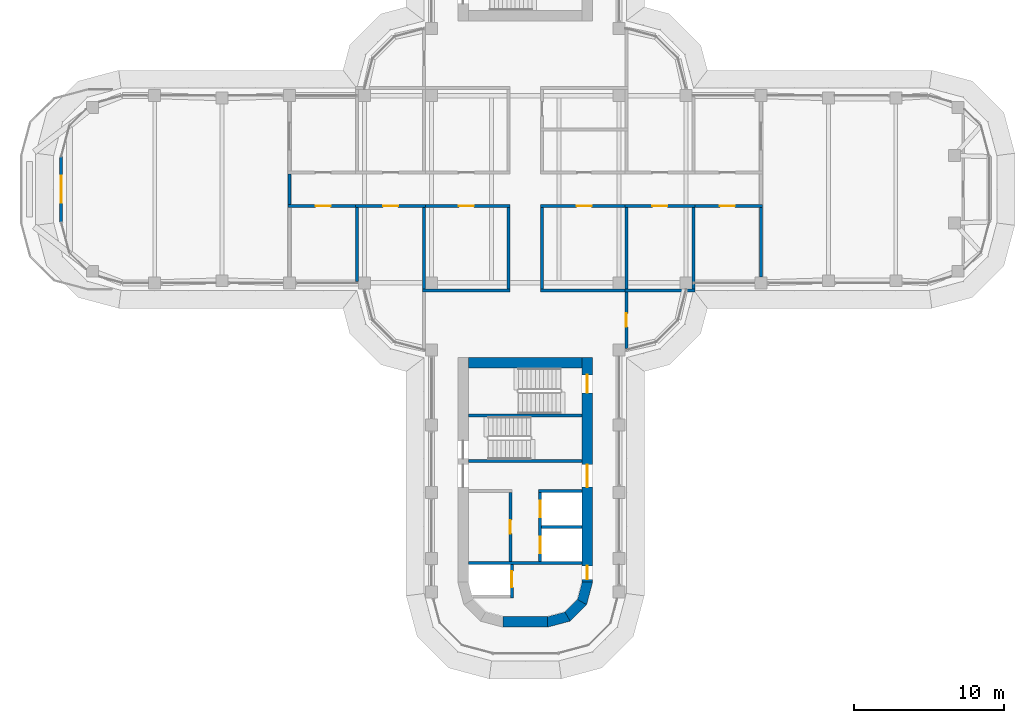
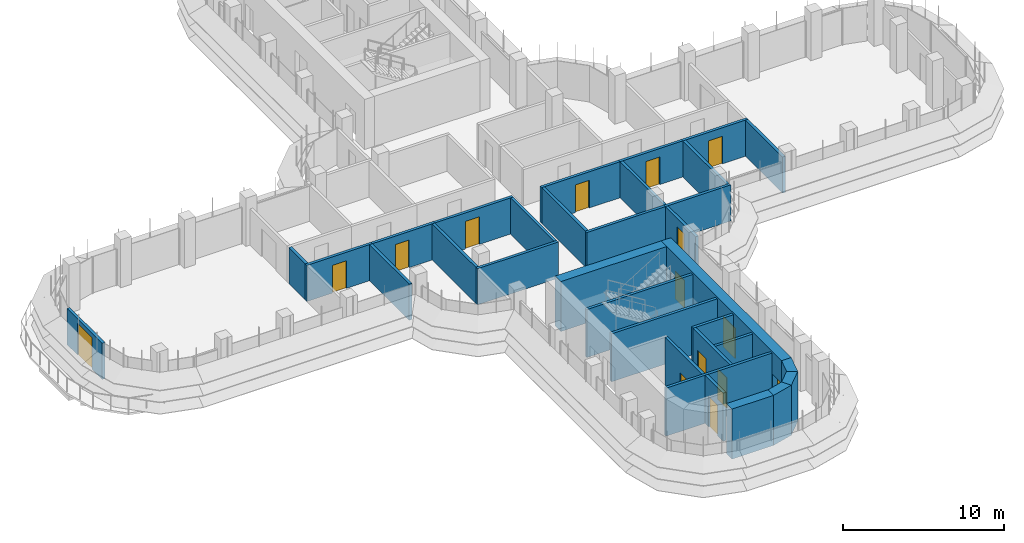
# One storey, part 14 of 20: 33 walls, 15 doors, 15 openings.
"""IFC4 building model written with IfcOpenShell, lengths in metres."""

from ifc_helpers import new_model, si_unit, direction, frame, frame_2d, origin, place, context, subcontext, project, spatial, polyline, rectangle, outline, extrude, material, layer, layer_set, type_object, element, fill, save


model = new_model("IFC4")

# Units and contexts
model_context = context("Model", 3, precision=1e-05, world=origin(), true_north=direction((0.0, 1.0)))
body_context = subcontext(model_context, "Body", "Model", "MODEL_VIEW")
ifc_project = project(units=[si_unit("LENGTHUNIT", "METRE"), si_unit("AREAUNIT", "SQUARE_METRE"), si_unit("VOLUMEUNIT", "CUBIC_METRE"), si_unit("PLANEANGLEUNIT", "RADIAN"), si_unit("MASSUNIT", "GRAM", prefix="KILO")], contexts=[model_context])

# Site, building, storey
site_placement = place(None, origin())
site = spatial("IfcSite", under=ifc_project, at=site_placement, CompositionType="ELEMENT")
building_placement = place(site_placement, origin())
building = spatial("IfcBuilding", under=site, at=building_placement, Name="Zarbagh Exchange Tower", CompositionType="ELEMENT")
storey_placement = place(building_placement, frame((0.0, 0.0, 186.60009765625)))
storey = spatial("IfcBuildingStorey", under=building, at=storey_placement, Name="L45", CompositionType="ELEMENT", Elevation=186.60009765625)

# Wall, opening, door
ifc_material_1 = material(Name="Fire-rated plasterboard partition")
ifc_layer_1 = layer(ifc_material_1, 0.199951171875)
ifc_layer_set_1 = layer_set([ifc_layer_1], Name="RATED PARTITION 200")
wall_type_1 = type_object("IfcWallType", Name="RATED PARTITION 200", PredefinedType="PARTITIONING", material=ifc_layer_set_1)
wall_1_placement = place(storey_placement, frame((6.85009765625, -1.125, 0.0), z_axis=(0.0, 0.0, 1.0), x_axis=(-1.0, 0.0, 0.0)))
wall_1 = element("IfcWall", 1, at=wall_1_placement, inside=storey, type_object=wall_type_1, Name="Partition W-2005", PredefinedType="PARTITIONING", context=body_context, shape_type="SweptSolid", body=[
    extrude(rectangle(XDim=5.8251953125, YDim=0.199951171875, at=frame_2d((2.91259765625, 0.0))), origin(), (0.0, 0.0, 1.0), 2.74560546875),
])
opening_1_placement = place(wall_1_placement, frame((2.41259765625, 0.0, 0.0)))
opening_1 = element("IfcOpeningElement", 2, at=opening_1_placement, cuts=wall_1, Name="Opening D-2011", PredefinedType="OPENING", context=body_context, shape_type="SweptSolid", body=[
    extrude(rectangle(XDim=1.0, YDim=2.10009765625, at=frame_2d((0.5, 1.050048828125))), frame((0.0, 0.10986328125, 0.0), z_axis=(0.0, -1.0, 0.0), x_axis=(1.0, 0.0, 0.0)), (0.0, 0.0, 1.0), 0.219970703125),
])
ifc_material_2 = material(Name="Steel door set", Category="steel")
door_type_1 = type_object("IfcDoorType", Name="FIRE DOOR 1000 X 2100 FD30S", OperationType="NOTDEFINED", PredefinedType="DOOR", material=ifc_material_2)
door_1_placement = place(opening_1_placement, origin())
door_1 = element("IfcDoor", 3, at=door_1_placement, inside=storey, type_object=door_type_1, Name="Door D-2011", OperationType="SINGLE_SWING_RIGHT", OverallHeight=2.10009765625, OverallWidth=1.0, PredefinedType="DOOR", context=body_context, shape_type="SweptSolid", body=[
    extrude(rectangle(XDim=1.0, YDim=2.10009765625, at=frame_2d((0.5, 1.050048828125))), frame((0.0, 0.02490234375, 0.0), z_axis=(0.0, -1.0, 0.0), x_axis=(1.0, 0.0, 0.0)), (0.0, 0.0, 1.0), 0.050048828125),
])
fill(opening_1, door_1)

wall_2_placement = place(storey_placement, frame((11.35009765625, -1.125, 0.0), z_axis=(0.0, 0.0, 1.0), x_axis=(-1.0, 0.0, 0.0)))
wall_2 = element("IfcWall", 4, at=wall_2_placement, inside=storey, type_object=wall_type_1, Name="Partition W-2006", PredefinedType="PARTITIONING", context=body_context, shape_type="SweptSolid", body=[
    extrude(rectangle(XDim=4.7001953125, YDim=0.199951171875, at=frame_2d((2.35009765625, 0.0))), origin(), (0.0, 0.0, 1.0), 2.74560546875),
])
opening_2_placement = place(wall_2_placement, frame((1.85009765625, 0.0, 0.0)))
opening_2 = element("IfcOpeningElement", 5, at=opening_2_placement, cuts=wall_2, Name="Opening D-2012", PredefinedType="OPENING", context=body_context, shape_type="SweptSolid", body=[
    extrude(rectangle(XDim=1.0, YDim=2.10009765625, at=frame_2d((0.5, 1.050048828125))), frame((0.0, 0.10986328125, 0.0), z_axis=(0.0, -1.0, 0.0), x_axis=(1.0, 0.0, 0.0)), (0.0, 0.0, 1.0), 0.219970703125),
])
door_2_placement = place(opening_2_placement, origin())
door_2 = element("IfcDoor", 6, at=door_2_placement, inside=storey, type_object=door_type_1, Name="Door D-2012", OperationType="SINGLE_SWING_RIGHT", OverallHeight=2.10009765625, OverallWidth=1.0, PredefinedType="DOOR", context=body_context, shape_type="SweptSolid", body=[
    extrude(rectangle(XDim=1.0, YDim=2.10009765625, at=frame_2d((0.5, 1.050048828125))), frame((0.0, 0.02490234375, 0.0), z_axis=(0.0, -1.0, 0.0), x_axis=(1.0, 0.0, 0.0)), (0.0, 0.0, 1.0), 0.050048828125),
])
fill(opening_2, door_2)

wall_3_placement = place(storey_placement, frame((-1.02490234375, -1.125, 0.0), z_axis=(0.0, 0.0, 1.0), x_axis=(-1.0, 0.0, 0.0)))
wall_3 = element("IfcWall", 7, at=wall_3_placement, inside=storey, type_object=wall_type_1, Name="Partition W-2007", PredefinedType="PARTITIONING", context=body_context, shape_type="SweptSolid", body=[
    extrude(rectangle(XDim=5.8251953125, YDim=0.199951171875, at=frame_2d((2.91259765625, 0.0))), origin(), (0.0, 0.0, 1.0), 2.74560546875),
])
opening_3_placement = place(wall_3_placement, frame((2.41259765625, 0.0, 0.0)))
opening_3 = element("IfcOpeningElement", 8, at=opening_3_placement, cuts=wall_3, Name="Opening D-2014", PredefinedType="OPENING", context=body_context, shape_type="SweptSolid", body=[
    extrude(rectangle(XDim=1.0, YDim=2.10009765625, at=frame_2d((0.5, 1.050048828125))), frame((0.0, 0.10986328125, 0.0), z_axis=(0.0, -1.0, 0.0), x_axis=(1.0, 0.0, 0.0)), (0.0, 0.0, 1.0), 0.219970703125),
])
door_3_placement = place(opening_3_placement, origin())
door_3 = element("IfcDoor", 9, at=door_3_placement, inside=storey, type_object=door_type_1, Name="Door D-2014", OperationType="SINGLE_SWING_RIGHT", OverallHeight=2.10009765625, OverallWidth=1.0, PredefinedType="DOOR", context=body_context, shape_type="SweptSolid", body=[
    extrude(rectangle(XDim=1.0, YDim=2.10009765625, at=frame_2d((0.5, 1.050048828125))), frame((0.0, 0.02490234375, 0.0), z_axis=(0.0, -1.0, 0.0), x_axis=(1.0, 0.0, 0.0)), (0.0, 0.0, 1.0), 0.050048828125),
])
fill(opening_3, door_3)

wall_4_placement = place(storey_placement, frame((-6.64990234375, -1.125, 0.0), z_axis=(0.0, 0.0, 1.0), x_axis=(-1.0, 0.0, 0.0)))
wall_4 = element("IfcWall", 10, at=wall_4_placement, inside=storey, type_object=wall_type_1, Name="Partition W-2008", PredefinedType="PARTITIONING", context=body_context, shape_type="SweptSolid", body=[
    extrude(rectangle(XDim=4.7001953125, YDim=0.199951171875, at=frame_2d((2.35009765625, 0.0))), origin(), (0.0, 0.0, 1.0), 2.74560546875),
])
opening_4_placement = place(wall_4_placement, frame((1.85009765625, 0.0, 0.0)))
opening_4 = element("IfcOpeningElement", 11, at=opening_4_placement, cuts=wall_4, Name="Opening D-2015", PredefinedType="OPENING", context=body_context, shape_type="SweptSolid", body=[
    extrude(rectangle(XDim=1.0, YDim=2.10009765625, at=frame_2d((0.5, 1.050048828125))), frame((0.0, 0.10986328125, 0.0), z_axis=(0.0, -1.0, 0.0), x_axis=(1.0, 0.0, 0.0)), (0.0, 0.0, 1.0), 0.219970703125),
])
door_4_placement = place(opening_4_placement, origin())
door_4 = element("IfcDoor", 12, at=door_4_placement, inside=storey, type_object=door_type_1, Name="Door D-2015", OperationType="SINGLE_SWING_RIGHT", OverallHeight=2.10009765625, OverallWidth=1.0, PredefinedType="DOOR", context=body_context, shape_type="SweptSolid", body=[
    extrude(rectangle(XDim=1.0, YDim=2.10009765625, at=frame_2d((0.5, 1.050048828125))), frame((0.0, 0.02490234375, 0.0), z_axis=(0.0, -1.0, 0.0), x_axis=(1.0, 0.0, 0.0)), (0.0, 0.0, 1.0), 0.050048828125),
])
fill(opening_4, door_4)

wall_5_placement = place(storey_placement, frame((15.85009765625, -1.125, 0.0), z_axis=(0.0, 0.0, 1.0), x_axis=(-1.0, 0.0, 0.0)))
wall_5 = element("IfcWall", 13, at=wall_5_placement, inside=storey, type_object=wall_type_1, Name="Partition W-2010", PredefinedType="PARTITIONING", context=body_context, shape_type="SweptSolid", body=[
    extrude(rectangle(XDim=4.7001953125, YDim=0.199951171875, at=frame_2d((2.35009765625, 0.0))), origin(), (0.0, 0.0, 1.0), 2.74560546875),
])
opening_5_placement = place(wall_5_placement, frame((1.85009765625, 0.0, 0.0)))
opening_5 = element("IfcOpeningElement", 14, at=opening_5_placement, cuts=wall_5, Name="Opening D-2004", PredefinedType="OPENING", context=body_context, shape_type="SweptSolid", body=[
    extrude(rectangle(XDim=1.0, YDim=2.10009765625, at=frame_2d((0.5, 1.050048828125))), frame((0.0, 0.10986328125, 0.0), z_axis=(0.0, -1.0, 0.0), x_axis=(1.0, 0.0, 0.0)), (0.0, 0.0, 1.0), 0.219970703125),
])
door_5_placement = place(opening_5_placement, origin())
door_5 = element("IfcDoor", 15, at=door_5_placement, inside=storey, type_object=door_type_1, Name="Door D-2004", OperationType="SINGLE_SWING_RIGHT", OverallHeight=2.10009765625, OverallWidth=1.0, PredefinedType="DOOR", context=body_context, shape_type="SweptSolid", body=[
    extrude(rectangle(XDim=1.0, YDim=2.10009765625, at=frame_2d((0.5, 1.050048828125))), frame((0.0, 0.02490234375, 0.0), z_axis=(0.0, -1.0, 0.0), x_axis=(1.0, 0.0, 0.0)), (0.0, 0.0, 1.0), 0.050048828125),
])
fill(opening_5, door_5)

wall_6_placement = place(storey_placement, frame((-11.14990234375, -1.125, 0.0), z_axis=(0.0, 0.0, 1.0), x_axis=(-1.0, 0.0, 0.0)))
wall_6 = element("IfcWall", 16, at=wall_6_placement, inside=storey, type_object=wall_type_1, Name="Partition W-2013", PredefinedType="PARTITIONING", context=body_context, shape_type="SweptSolid", body=[
    extrude(rectangle(XDim=4.7001953125, YDim=0.199951171875, at=frame_2d((2.35009765625, 0.0))), origin(), (0.0, 0.0, 1.0), 2.74560546875),
])
opening_6_placement = place(wall_6_placement, frame((1.85009765625, 0.0, 0.0)))
opening_6 = element("IfcOpeningElement", 17, at=opening_6_placement, cuts=wall_6, Name="Opening D-2018", PredefinedType="OPENING", context=body_context, shape_type="SweptSolid", body=[
    extrude(rectangle(XDim=1.0, YDim=2.10009765625, at=frame_2d((0.5, 1.050048828125))), frame((0.0, 0.10986328125, 0.0), z_axis=(0.0, -1.0, 0.0), x_axis=(1.0, 0.0, 0.0)), (0.0, 0.0, 1.0), 0.219970703125),
])
door_6_placement = place(opening_6_placement, origin())
door_6 = element("IfcDoor", 18, at=door_6_placement, inside=storey, type_object=door_type_1, Name="Door D-2018", OperationType="SINGLE_SWING_RIGHT", OverallHeight=2.10009765625, OverallWidth=1.0, PredefinedType="DOOR", context=body_context, shape_type="SweptSolid", body=[
    extrude(rectangle(XDim=1.0, YDim=2.10009765625, at=frame_2d((0.5, 1.050048828125))), frame((0.0, 0.02490234375, 0.0), z_axis=(0.0, -1.0, 0.0), x_axis=(1.0, 0.0, 0.0)), (0.0, 0.0, 1.0), 0.050048828125),
])
fill(opening_6, door_6)

# Walls
wall_7_placement = place(storey_placement, frame((-15.75, -1.02490234375, 0.0), z_axis=(0.0, 0.0, 1.0), x_axis=(0.0, 1.0, 0.0)))
element("IfcWall", 19, at=wall_7_placement, inside=storey, type_object=wall_type_1, Name="Partition W-2014", PredefinedType="PARTITIONING", context=body_context, shape_type="SweptSolid", body=[
    extrude(rectangle(XDim=2.0498046875, YDim=0.199951171875, at=frame_2d((1.02490234375, 0.0))), origin(), (0.0, 0.0, 1.0), 2.74560546875),
])
for number, where, z_axis, x_axis, name in (
    (20, (1.125, -6.64990234375, 0.0), (0.0, 0.0, 1.0), (0.0, 1.0, 0.0), "Partition W-2018"),
    (21, (-1.125, -6.64990234375, 0.0), (0.0, 0.0, 1.0), (0.0, 1.0, 0.0), "Partition W-2019"),
):
    element("IfcWall", number, at=place(storey_placement, frame(where, z_axis=z_axis, x_axis=x_axis)), inside=storey, type_object=wall_type_1, Name=name, PredefinedType="PARTITIONING", context=body_context, shape_type="SweptSolid", body=[
        extrude(rectangle(XDim=5.4248046875, YDim=0.199951171875, at=frame_2d((2.71240234375, 0.0))), origin(), (0.0, 0.0, 1.0), 2.74560546875),
    ])
wall_8_placement = place(storey_placement, frame((1.02490234375, -6.75, 0.0), z_axis=(0.0, 0.0, 1.0), x_axis=(1.0, 0.0, 0.0)))
element("IfcWall", 22, at=wall_8_placement, inside=storey, type_object=wall_type_1, Name="Partition W-2024", PredefinedType="PARTITIONING", context=body_context, shape_type="SweptSolid", body=[
    extrude(rectangle(XDim=5.8251953125, YDim=0.199951171875, at=frame_2d((2.91259765625, 0.0))), origin(), (0.0, 0.0, 1.0), 2.74560546875),
])

# Wall, opening, door
wall_9_placement = place(storey_placement, frame((6.75, -6.85009765625, 0.0), z_axis=(0.0, 0.0, 1.0), x_axis=(0.0, -1.0, 0.0)))
wall_9 = element("IfcWall", 23, at=wall_9_placement, inside=storey, type_object=wall_type_1, Name="Partition W-2025", PredefinedType="PARTITIONING", context=body_context, shape_type="SweptSolid", body=[
    extrude(rectangle(XDim=3.77978515625, YDim=0.199951171875, at=frame_2d((1.889892578125, 0.0))), origin(), (0.0, 0.0, 1.0), 2.74560546875),
])
opening_7_placement = place(wall_9_placement, frame((1.43994140625, 0.0, 0.0)))
opening_7 = element("IfcOpeningElement", 24, at=opening_7_placement, cuts=wall_9, Name="Opening D-2013", PredefinedType="OPENING", context=body_context, shape_type="SweptSolid", body=[
    extrude(rectangle(XDim=0.89990234375, YDim=2.10009765625, at=frame_2d((0.449951171875, 1.050048828125))), frame((0.0, 0.10986328125, 0.0), z_axis=(0.0, -1.0, 0.0), x_axis=(1.0, 0.0, 0.0)), (0.0, 0.0, 1.0), 0.219970703125),
])
ifc_material_3 = material(Name="Timber door leaf", Category="wood")
door_type_2 = type_object("IfcDoorType", Name="DOOR 900 X 2100", OperationType="NOTDEFINED", PredefinedType="DOOR", material=ifc_material_3)
door_7_placement = place(opening_7_placement, origin())
door_7 = element("IfcDoor", 25, at=door_7_placement, inside=storey, type_object=door_type_2, Name="Door D-2013", OperationType="SINGLE_SWING_LEFT", OverallHeight=2.10009765625, OverallWidth=0.89990234375, PredefinedType="DOOR", context=body_context, shape_type="SweptSolid", body=[
    extrude(rectangle(XDim=0.89990234375, YDim=2.10009765625, at=frame_2d((0.449951171875, 1.050048828125))), frame((0.0, 0.02490234375, 0.0), z_axis=(0.0, -1.0, 0.0), x_axis=(1.0, 0.0, 0.0)), (0.0, 0.0, 1.0), 0.050048828125),
])
fill(opening_7, door_7)

# Walls
wall_10_placement = place(storey_placement, frame((-6.85009765625, -6.75, 0.0), z_axis=(0.0, 0.0, 1.0), x_axis=(1.0, 0.0, 0.0)))
element("IfcWall", 26, at=wall_10_placement, inside=storey, type_object=wall_type_1, Name="Partition W-2026", PredefinedType="PARTITIONING", context=body_context, shape_type="SweptSolid", body=[
    extrude(rectangle(XDim=5.8251953125, YDim=0.199951171875, at=frame_2d((2.91259765625, 0.0))), origin(), (0.0, 0.0, 1.0), 2.74560546875),
])
wall_11_placement = place(storey_placement, frame((6.75, -6.64990234375, 0.0), z_axis=(0.0, 0.0, 1.0), x_axis=(0.0, 1.0, 0.0)))
element("IfcWall", 27, at=wall_11_placement, inside=storey, type_object=wall_type_1, Name="Partition W-2035", PredefinedType="PARTITIONING", context=body_context, shape_type="SweptSolid", body=[
    extrude(rectangle(XDim=5.4248046875, YDim=0.199951171875, at=frame_2d((2.71240234375, 0.0))), origin(), (0.0, 0.0, 1.0), 2.74560546875),
])
wall_12_placement = place(storey_placement, frame((6.64990234375, -6.75, 0.0), z_axis=(0.0, 0.0, 1.0), x_axis=(1.0, 0.0, 0.0)))
element("IfcWall", 28, at=wall_12_placement, inside=storey, type_object=wall_type_1, Name="Partition W-2036", PredefinedType="PARTITIONING", context=body_context, shape_type="SweptSolid", body=[
    extrude(rectangle(XDim=4.7001953125, YDim=0.199951171875, at=frame_2d((2.35009765625, 0.0))), origin(), (0.0, 0.0, 1.0), 2.74560546875),
])
for number, where, z_axis, x_axis, name in (
    (29, (11.25, -6.64990234375, 0.0), (0.0, 0.0, 1.0), (0.0, 1.0, 0.0), "Partition W-2037"),
    (30, (-6.75, -6.64990234375, 0.0), (0.0, 0.0, 1.0), (0.0, 1.0, 0.0), "Partition W-2038"),
):
    element("IfcWall", number, at=place(storey_placement, frame(where, z_axis=z_axis, x_axis=x_axis)), inside=storey, type_object=wall_type_1, Name=name, PredefinedType="PARTITIONING", context=body_context, shape_type="SweptSolid", body=[
        extrude(rectangle(XDim=5.4248046875, YDim=0.199951171875, at=frame_2d((2.71240234375, 0.0))), origin(), (0.0, 0.0, 1.0), 2.74560546875),
    ])
wall_13_placement = place(storey_placement, frame((-11.25, -6.169921875, 0.0), z_axis=(0.0, 0.0, 1.0), x_axis=(0.0, 1.0, 0.0)))
element("IfcWall", 31, at=wall_13_placement, inside=storey, type_object=wall_type_1, Name="Partition W-2039", PredefinedType="PARTITIONING", context=body_context, shape_type="SweptSolid", body=[
    extrude(rectangle(XDim=4.94482421875, YDim=0.199951171875, at=frame_2d((2.472412109375, 0.0))), origin(), (0.0, 0.0, 1.0), 2.74560546875),
])
wall_14_placement = place(storey_placement, frame((15.75, -5.85009765625, 0.0), z_axis=(0.0, 0.0, 1.0), x_axis=(0.0, 1.0, 0.0)))
element("IfcWall", 32, at=wall_14_placement, inside=storey, type_object=wall_type_1, Name="Partition W-2041", PredefinedType="PARTITIONING", context=body_context, shape_type="SweptSolid", body=[
    extrude(rectangle(XDim=4.625, YDim=0.199951171875, at=frame_2d((2.3125, 0.0))), origin(), (0.0, 0.0, 1.0), 2.74560546875),
])
ifc_material_4 = material(Name="Concrete C50/60", Category="concrete")
ifc_layer_2 = layer(ifc_material_4, 0.699951171875)
ifc_layer_set_2 = layer_set([ifc_layer_2], Name="RC core corner wall 700 C50/60")
wall_type_2 = type_object("IfcWallType", Name="RC core corner wall 700 C50/60", PredefinedType="SHEAR", material=ifc_layer_set_2)
wall_15_placement = place(storey_placement, origin())
element("IfcWall", 33, at=wall_15_placement, inside=storey, type_object=wall_type_2, Name="CW6 core S corner E", PredefinedType="SHEAR", context=body_context, shape_type="SweptSolid", body=[
    extrude(outline(polyline([(4.5, -26.25), (4.09814453125, -27.75), (3.491943359375, -27.39990234375), (3.800048828125, -26.25), (4.5, -26.25)])), origin(), (0.0, 0.0, 1.0), 3.7998046875),
])
wall_16_placement = place(storey_placement, origin())
element("IfcWall", 34, at=wall_16_placement, inside=storey, type_object=wall_type_2, Name="CW6 core S corner E", PredefinedType="SHEAR", context=body_context, shape_type="SweptSolid", body=[
    extrude(outline(polyline([(4.09814453125, -27.75), (3.0, -28.84814453125), (2.64990234375, -28.241943359375), (3.491943359375, -27.39990234375), (4.09814453125, -27.75)])), origin(), (0.0, 0.0, 1.0), 3.7998046875),
])
wall_17_placement = place(storey_placement, origin())
element("IfcWall", 35, at=wall_17_placement, inside=storey, type_object=wall_type_2, Name="CW6 core S corner E", PredefinedType="SHEAR", context=body_context, shape_type="SweptSolid", body=[
    extrude(outline(polyline([(3.0, -28.84814453125), (1.5, -29.25), (1.5, -28.550048828125), (2.64990234375, -28.241943359375), (3.0, -28.84814453125)])), origin(), (0.0, 0.0, 1.0), 3.7998046875),
])

# Wall, openings, doors
ifc_layer_3 = layer(ifc_material_4, 0.699951171875)
ifc_layer_set_3 = layer_set([ifc_layer_3], Name="RC core wall 700 C50/60")
wall_type_3 = type_object("IfcWallType", Name="RC core wall 700 C50/60", PredefinedType="SHEAR", material=ifc_layer_set_3)
wall_18_placement = place(storey_placement, frame((4.14990234375, -11.25, 0.0), z_axis=(0.0, 0.0, 1.0), x_axis=(0.0, -1.0, 0.0)))
wall_18 = element("IfcWall", 36, at=wall_18_placement, inside=storey, type_object=wall_type_3, Name="CW5 core S E", PredefinedType="SHEAR", context=body_context, shape_type="SweptSolid", body=[
    extrude(rectangle(XDim=15.0, YDim=0.699951171875, at=frame_2d((7.5, 0.0))), origin(), (0.0, 0.0, 1.0), 3.7998046875),
])
opening_8_placement = place(wall_18_placement, frame((7.14990234375, 0.0, 0.0)))
opening_8 = element("IfcOpeningElement", 37, at=opening_8_placement, cuts=wall_18, Name="Opening CD1-1500", PredefinedType="OPENING", context=body_context, shape_type="SweptSolid", body=[
    extrude(rectangle(XDim=1.5, YDim=2.300048828125, at=frame_2d((0.75, 1.14990234375))), frame((0.0, 0.35986328125, 0.0), z_axis=(0.0, -1.0, 0.0), x_axis=(1.0, 0.0, 0.0)), (0.0, 0.0, 1.0), 0.719970703125),
])
opening_9_placement = place(wall_18_placement, frame((13.89990234375, 0.0, 0.0)))
opening_9 = element("IfcOpeningElement", 38, at=opening_9_placement, cuts=wall_18, Name="Opening CD2-900", PredefinedType="OPENING", context=body_context, shape_type="SweptSolid", body=[
    extrude(rectangle(XDim=0.89990234375, YDim=2.10009765625, at=frame_2d((0.449951171875, 1.050048828125))), frame((0.0, 0.35986328125, 0.0), z_axis=(0.0, -1.0, 0.0), x_axis=(1.0, 0.0, 0.0)), (0.0, 0.0, 1.0), 0.719970703125),
])
opening_10_placement = place(wall_18_placement, frame((1.14990234375, 0.0, 0.0)))
opening_10 = element("IfcOpeningElement", 39, at=opening_10_placement, cuts=wall_18, Name="Opening SD1-1200", PredefinedType="OPENING", context=body_context, shape_type="SweptSolid", body=[
    extrude(rectangle(XDim=1.199951171875, YDim=2.10009765625, at=frame_2d((0.60009765625, 1.050048828125))), frame((0.0, 0.35986328125, 0.0), z_axis=(0.0, -1.0, 0.0), x_axis=(1.0, 0.0, 0.0)), (0.0, 0.0, 1.0), 0.719970703125),
])
ifc_material_5 = material(Name="Steel", Category="steel")
door_type_3 = type_object("IfcDoorType", Name="Exit stair door 1200 x 2100", OperationType="NOTDEFINED", PredefinedType="DOOR", material=ifc_material_5)
door_8_placement = place(opening_10_placement, origin())
door_8 = element("IfcDoor", 40, at=door_8_placement, inside=storey, type_object=door_type_3, Name="South core stair door ST2", OperationType="SINGLE_SWING_RIGHT", OverallHeight=2.10009765625, OverallWidth=1.199951171875, PredefinedType="DOOR", context=body_context, shape_type="SweptSolid", body=[
    extrude(rectangle(XDim=1.199951171875, YDim=2.10009765625, at=frame_2d((0.60009765625, 1.050048828125))), frame((0.0, 0.02490234375, 0.0), z_axis=(0.0, -1.0, 0.0), x_axis=(1.0, 0.0, 0.0)), (0.0, 0.0, 1.0), 0.050048828125),
])
fill(opening_10, door_8)
door_type_4 = type_object("IfcDoorType", Name="Firefighting lobby door 900 x 2100", OperationType="NOTDEFINED", PredefinedType="DOOR", material=ifc_material_5)
door_9_placement = place(opening_9_placement, origin())
door_9 = element("IfcDoor", 41, at=door_9_placement, inside=storey, type_object=door_type_4, Name="South core firefighting lobby door FF-W", OperationType="SINGLE_SWING_LEFT", OverallHeight=2.10009765625, OverallWidth=0.89990234375, PredefinedType="DOOR", context=body_context, shape_type="SweptSolid", body=[
    extrude(rectangle(XDim=0.89990234375, YDim=2.10009765625, at=frame_2d((0.449951171875, 1.050048828125))), frame((0.0, 0.02490234375, 0.0), z_axis=(0.0, -1.0, 0.0), x_axis=(1.0, 0.0, 0.0)), (0.0, 0.0, 1.0), 0.050048828125),
])
fill(opening_9, door_9)
door_type_5 = type_object("IfcDoorType", Name="Lift lobby double door 1500 x 2300", OperationType="NOTDEFINED", PredefinedType="DOOR", material=ifc_material_5)
door_10_placement = place(opening_8_placement, origin())
door_10 = element("IfcDoor", 42, at=door_10_placement, inside=storey, type_object=door_type_5, Name="South core lift lobby door LOBBY-W", OperationType="DOUBLE_DOOR_SINGLE_SWING", OverallHeight=2.300048828125, OverallWidth=1.5, PredefinedType="DOOR", context=body_context, shape_type="SweptSolid", body=[
    extrude(rectangle(XDim=1.5, YDim=2.300048828125, at=frame_2d((0.75, 1.14990234375))), frame((0.0, 0.02490234375, 0.0), z_axis=(0.0, -1.0, 0.0), x_axis=(1.0, 0.0, 0.0)), (0.0, 0.0, 1.0), 0.050048828125),
])
fill(opening_8, door_10)

# Walls
wall_19_placement = place(storey_placement, frame((-3.800048828125, -11.60009765625, 0.0), z_axis=(0.0, 0.0, 1.0), x_axis=(1.0, 0.0, 0.0)))
element("IfcWall", 43, at=wall_19_placement, inside=storey, type_object=wall_type_3, Name="CW5 core S inner end", PredefinedType="SHEAR", context=body_context, shape_type="SweptSolid", body=[
    extrude(rectangle(XDim=7.60009765625, YDim=0.699951171875, at=frame_2d((3.800048828125, 0.0))), origin(), (0.0, 0.0, 1.0), 3.7998046875),
])
wall_20_placement = place(storey_placement, frame((-1.5, -28.89990234375, 0.0), z_axis=(0.0, 0.0, 1.0), x_axis=(1.0, 0.0, 0.0)))
element("IfcWall", 44, at=wall_20_placement, inside=storey, type_object=wall_type_3, Name="CW5 core S outer end", PredefinedType="SHEAR", context=body_context, shape_type="SweptSolid", body=[
    extrude(rectangle(XDim=3.0, YDim=0.699951171875, at=frame_2d((1.5, 0.0))), origin(), (0.0, 0.0, 1.0), 3.7998046875),
])
ifc_material_6 = material(Name="Dense blockwork", Category="masonry")
ifc_layer_4 = layer(ifc_material_6, 0.199951171875)
ifc_layer_set_4 = layer_set([ifc_layer_4], Name="Shaft wall 200 mm blockwork")
wall_type_4 = type_object("IfcWallType", Name="Shaft wall 200 mm blockwork", PredefinedType="PARTITIONING", material=ifc_layer_set_4)
wall_21_placement = place(storey_placement, frame((3.800048828125, -20.14990234375, 0.0), z_axis=(0.0, 0.0, 1.0), x_axis=(-1.0, 0.0, 0.0)))
element("IfcWall", 45, at=wall_21_placement, inside=storey, type_object=wall_type_4, Name="South core shaft wall AB-W", PredefinedType="PARTITIONING", context=body_context, shape_type="SweptSolid", body=[
    extrude(rectangle(XDim=2.900146484375, YDim=0.199951171875, at=frame_2d((1.4501953125, 0.0))), origin(), (0.0, 0.0, 1.0), 3.64990234375),
])

# Wall, openings, doors
wall_22_placement = place(storey_placement, frame((1.0, -24.85009765625, 0.0), z_axis=(0.0, 0.0, 1.0), x_axis=(0.0, 1.0, 0.0)))
wall_22 = element("IfcWall", 46, at=wall_22_placement, inside=storey, type_object=wall_type_4, Name="South core shaft wall LW-W", PredefinedType="PARTITIONING", context=body_context, shape_type="SweptSolid", body=[
    extrude(rectangle(XDim=4.60009765625, YDim=0.199951171875, at=frame_2d((2.300048828125, 0.0))), origin(), (0.0, 0.0, 1.0), 3.64990234375),
])
opening_11_placement = place(wall_22_placement, frame((0.550048828125, 0.0, 0.0)))
opening_11 = element("IfcOpeningElement", 47, at=opening_11_placement, cuts=wall_22, Name="Opening LD-1100", PredefinedType="OPENING", context=body_context, shape_type="SweptSolid", body=[
    extrude(rectangle(XDim=1.10009765625, YDim=2.300048828125, at=frame_2d((0.550048828125, 1.14990234375))), frame((0.0, 0.10986328125, 0.0), z_axis=(0.0, -1.0, 0.0), x_axis=(1.0, 0.0, 0.0)), (0.0, 0.0, 1.0), 0.219970703125),
])
opening_12_placement = place(wall_22_placement, frame((2.949951171875, 0.0, 0.0)))
opening_12 = element("IfcOpeningElement", 48, at=opening_12_placement, cuts=wall_22, Name="Opening LD-1100", PredefinedType="OPENING", context=body_context, shape_type="SweptSolid", body=[
    extrude(rectangle(XDim=1.10009765625, YDim=2.300048828125, at=frame_2d((0.550048828125, 1.14990234375))), frame((0.0, 0.10986328125, 0.0), z_axis=(0.0, -1.0, 0.0), x_axis=(1.0, 0.0, 0.0)), (0.0, 0.0, 1.0), 0.219970703125),
])
ifc_material_7 = material(Name="Stainless steel", Category="steel")
door_type_6 = type_object("IfcDoorType", Name="Lift landing door 1100 x 2300", OperationType="NOTDEFINED", PredefinedType="DOOR", material=ifc_material_7)
door_11_placement = place(opening_11_placement, origin())
door_11 = element("IfcDoor", 49, at=door_11_placement, inside=storey, type_object=door_type_6, Name="South core lift landing door LD-P-S1", OperationType="DOUBLE_DOOR_SLIDING", OverallHeight=2.300048828125, OverallWidth=1.10009765625, PredefinedType="DOOR", context=body_context, shape_type="SweptSolid", body=[
    extrude(rectangle(XDim=1.10009765625, YDim=2.300048828125, at=frame_2d((0.550048828125, 1.14990234375))), frame((0.0, 0.02490234375, 0.0), z_axis=(0.0, -1.0, 0.0), x_axis=(1.0, 0.0, 0.0)), (0.0, 0.0, 1.0), 0.050048828125),
])
fill(opening_11, door_11)
door_12_placement = place(opening_12_placement, origin())
door_12 = element("IfcDoor", 50, at=door_12_placement, inside=storey, type_object=door_type_6, Name="South core lift landing door LD-P-S2", OperationType="DOUBLE_DOOR_SLIDING", OverallHeight=2.300048828125, OverallWidth=1.10009765625, PredefinedType="DOOR", context=body_context, shape_type="SweptSolid", body=[
    extrude(rectangle(XDim=1.10009765625, YDim=2.300048828125, at=frame_2d((0.550048828125, 1.14990234375))), frame((0.0, 0.02490234375, 0.0), z_axis=(0.0, -1.0, 0.0), x_axis=(1.0, 0.0, 0.0)), (0.0, 0.0, 1.0), 0.050048828125),
])
fill(opening_12, door_12)

# Wall, opening, door
wall_23_placement = place(storey_placement, frame((-1.0, -24.85009765625, 0.0), z_axis=(0.0, 0.0, 1.0), x_axis=(0.0, 1.0, 0.0)))
wall_23 = element("IfcWall", 51, at=wall_23_placement, inside=storey, type_object=wall_type_4, Name="South core shaft wall LW-E", PredefinedType="PARTITIONING", context=body_context, shape_type="SweptSolid", body=[
    extrude(rectangle(XDim=4.60009765625, YDim=0.199951171875, at=frame_2d((2.300048828125, 0.0))), origin(), (0.0, 0.0, 1.0), 3.64990234375),
])
opening_13_placement = place(wall_23_placement, frame((1.85009765625, 0.0, 0.0)))
opening_13 = element("IfcOpeningElement", 52, at=opening_13_placement, cuts=wall_23, Name="Opening CD3-900", PredefinedType="OPENING", context=body_context, shape_type="SweptSolid", body=[
    extrude(rectangle(XDim=0.89990234375, YDim=2.10009765625, at=frame_2d((0.449951171875, 1.050048828125))), frame((0.0, 0.10986328125, 0.0), z_axis=(0.0, -1.0, 0.0), x_axis=(1.0, 0.0, 0.0)), (0.0, 0.0, 1.0), 0.219970703125),
])
door_type_7 = type_object("IfcDoorType", Name="Core room door 900 x 2100", OperationType="NOTDEFINED", PredefinedType="DOOR", material=ifc_material_5)
door_13_placement = place(opening_13_placement, origin())
door_13 = element("IfcDoor", 53, at=door_13_placement, inside=storey, type_object=door_type_7, Name="South core Riser store door RD-E-0", OperationType="SINGLE_SWING_RIGHT", OverallHeight=2.10009765625, OverallWidth=0.89990234375, PredefinedType="DOOR", context=body_context, shape_type="SweptSolid", body=[
    extrude(rectangle(XDim=0.89990234375, YDim=2.10009765625, at=frame_2d((0.449951171875, 1.050048828125))), frame((0.0, 0.02490234375, 0.0), z_axis=(0.0, -1.0, 0.0), x_axis=(1.0, 0.0, 0.0)), (0.0, 0.0, 1.0), 0.050048828125),
])
fill(opening_13, door_13)

# Walls
wall_24_placement = place(storey_placement, frame((3.800048828125, -22.550048828125, 0.0), z_axis=(0.0, 0.0, 1.0), x_axis=(-1.0, 0.0, 0.0)))
element("IfcWall", 54, at=wall_24_placement, inside=storey, type_object=wall_type_4, Name="South core shaft wall TR-W", PredefinedType="PARTITIONING", context=body_context, shape_type="SweptSolid", body=[
    extrude(rectangle(XDim=2.699951171875, YDim=0.199951171875, at=frame_2d((1.35009765625, 0.0))), origin(), (0.0, 0.0, 1.0), 3.64990234375),
])
ifc_material_8 = material(Name="Concrete C40/50", Category="concrete")
ifc_layer_5 = layer(ifc_material_8, 0.199951171875)
ifc_layer_set_5 = layer_set([ifc_layer_5], Name="Stair enclosure wall 200 mm RC C40/50")
wall_type_5 = type_object("IfcWallType", Name="Stair enclosure wall 200 mm RC C40/50", PredefinedType="SHEAR", material=ifc_layer_set_5)
wall_25_placement = place(storey_placement, frame((3.800048828125, -24.949951171875, 0.0), z_axis=(0.0, 0.0, 1.0), x_axis=(-1.0, 0.0, 0.0)))
element("IfcWall", 55, at=wall_25_placement, inside=storey, type_object=wall_type_5, Name="South core lift shaft wall FFA", PredefinedType="SHEAR", context=body_context, shape_type="SweptSolid", body=[
    extrude(rectangle(XDim=7.60009765625, YDim=0.199951171875, at=frame_2d((3.800048828125, 0.0))), origin(), (0.0, 0.0, 1.0), 3.64990234375),
])

# Wall, opening, door
wall_26_placement = place(storey_placement, frame((-0.89990234375, -27.300048828125, 0.0), z_axis=(0.0, 0.0, 1.0), x_axis=(0.0, 1.0, 0.0)))
wall_26 = element("IfcWall", 56, at=wall_26_placement, inside=storey, type_object=wall_type_5, Name="South core lift shaft wall FFL", PredefinedType="SHEAR", context=body_context, shape_type="SweptSolid", body=[
    extrude(rectangle(XDim=2.25, YDim=0.199951171875, at=frame_2d((1.125, 0.0))), origin(), (0.0, 0.0, 1.0), 3.64990234375),
])
opening_14_placement = place(wall_26_placement, frame((0.699951171875, 0.0, 0.0)))
opening_14 = element("IfcOpeningElement", 57, at=opening_14_placement, cuts=wall_26, Name="Opening LD-1100", PredefinedType="OPENING", context=body_context, shape_type="SweptSolid", body=[
    extrude(rectangle(XDim=1.10009765625, YDim=2.300048828125, at=frame_2d((0.550048828125, 1.14990234375))), frame((0.0, 0.10986328125, 0.0), z_axis=(0.0, -1.0, 0.0), x_axis=(1.0, 0.0, 0.0)), (0.0, 0.0, 1.0), 0.219970703125),
])
door_14_placement = place(opening_14_placement, origin())
door_14 = element("IfcDoor", 58, at=door_14_placement, inside=storey, type_object=door_type_6, Name="South core lift landing door LD-F", OperationType="DOUBLE_DOOR_SLIDING", OverallHeight=2.300048828125, OverallWidth=1.10009765625, PredefinedType="DOOR", context=body_context, shape_type="SweptSolid", body=[
    extrude(rectangle(XDim=1.10009765625, YDim=2.300048828125, at=frame_2d((0.550048828125, 1.14990234375))), frame((0.0, 0.02490234375, 0.0), z_axis=(0.0, -1.0, 0.0), x_axis=(1.0, 0.0, 0.0)), (0.0, 0.0, 1.0), 0.050048828125),
])
fill(opening_14, door_14)

# Walls
for number, where, z_axis, x_axis, name in (
    (59, (3.800048828125, -18.14990234375, 0.0), (0.0, 0.0, 1.0), (-1.0, 0.0, 0.0), "South core stair wall BS"),
    (60, (3.800048828125, -15.10009765625, 0.0), (0.0, 0.0, 1.0), (-1.0, 0.0, 0.0), "South core stair wall ST12"),
):
    element("IfcWall", number, at=place(storey_placement, frame(where, z_axis=z_axis, x_axis=x_axis)), inside=storey, type_object=wall_type_5, Name=name, PredefinedType="SHEAR", context=body_context, shape_type="SweptSolid", body=[
        extrude(rectangle(XDim=7.60009765625, YDim=0.199951171875, at=frame_2d((3.800048828125, 0.0))), origin(), (0.0, 0.0, 1.0), 3.64990234375),
    ])

# Wall, opening, door
ifc_material_9 = material(Name="Precast concrete C50/60", Category="concrete")
ifc_layer_6 = layer(ifc_material_9, 0.199951171875)
ifc_layer_set_6 = layer_set([ifc_layer_6], Name="Terrace door wall, precast concrete C50/60")
wall_type_6 = type_object("IfcWallType", Name="Terrace door wall, precast concrete C50/60", PredefinedType="SOLIDWALL", material=ifc_layer_set_6)
wall_27_placement = place(storey_placement, frame((-31.0, 2.18408203125, 0.0), z_axis=(0.0, 0.0, 1.0), x_axis=(0.0, -1.0, 0.0)))
wall_27 = element("IfcWall", 61, at=wall_27_placement, inside=storey, type_object=wall_type_6, Name="TW49 door wall", PredefinedType="SOLIDWALL", context=body_context, shape_type="SweptSolid", body=[
    extrude(rectangle(XDim=4.3681640625, YDim=0.199951171875, at=frame_2d((2.18408203125, 0.0))), origin(), (0.0, 0.0, 1.0), 2.75),
])
opening_15_placement = place(wall_27_placement, frame((1.2841796875, 0.0, 0.0)))
opening_15 = element("IfcOpeningElement", 62, at=opening_15_placement, cuts=wall_27, Name="Opening TD01", PredefinedType="OPENING", context=body_context, shape_type="SweptSolid", body=[
    extrude(rectangle(XDim=1.800048828125, YDim=2.39990234375, at=frame_2d((0.89990234375, 1.199951171875))), frame((0.0, 0.10986328125, 0.0), z_axis=(0.0, -1.0, 0.0), x_axis=(1.0, 0.0, 0.0)), (0.0, 0.0, 1.0), 0.219970703125),
])
ifc_material_10 = material(Name="Anodised aluminium and glass", Category="aluminium")
door_type_8 = type_object("IfcDoorType", Name="Terrace door, double leaf, aluminium and glass", OperationType="DOUBLE_DOOR_DOUBLE_SWING", PredefinedType="DOOR", material=ifc_material_10)
door_15_placement = place(opening_15_placement, origin())
door_15 = element("IfcDoor", 63, at=door_15_placement, inside=storey, type_object=door_type_8, Name="TD01 terrace door", OperationType="SINGLE_SWING_LEFT", OverallHeight=2.39990234375, OverallWidth=1.800048828125, PredefinedType="DOOR", context=body_context, shape_type="SweptSolid", body=[
    extrude(rectangle(XDim=1.800048828125, YDim=2.39990234375, at=frame_2d((0.89990234375, 1.199951171875))), frame((0.0, 0.02490234375, 0.0), z_axis=(0.0, -1.0, 0.0), x_axis=(1.0, 0.0, 0.0)), (0.0, 0.0, 1.0), 0.050048828125),
])
fill(opening_15, door_15)

save(model, "model.ifc")
